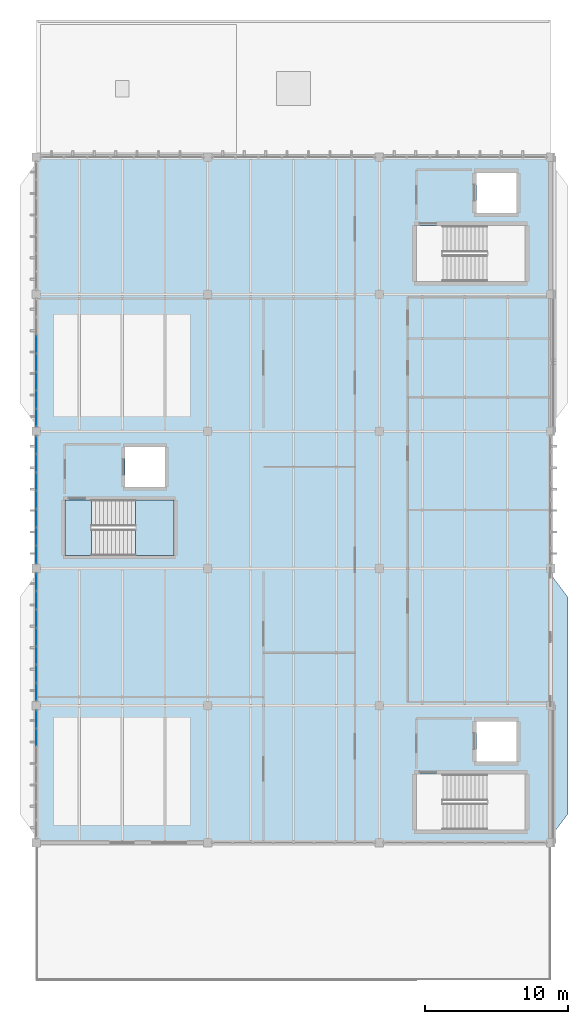
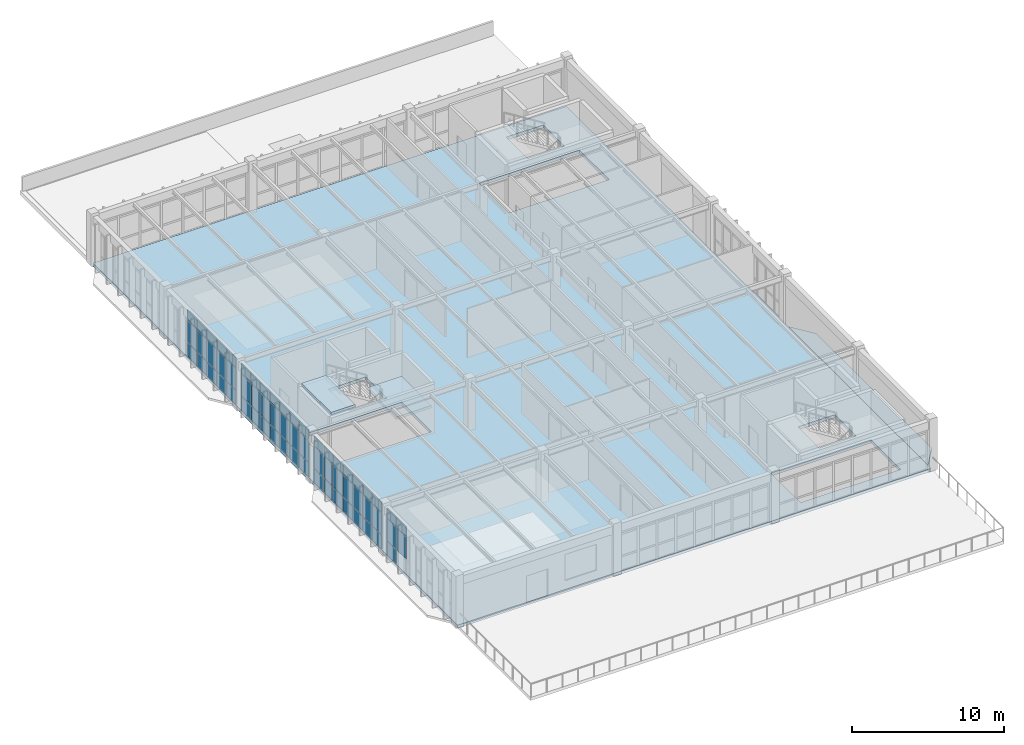
# One storey, part 27 of 37: 62 plates, 4 slabs, 5 elements without a shape of their own.
"""IFC4 building model written with IfcOpenShell, lengths in metres."""

from ifc_helpers import new_model, si_unit, direction, frame, origin, origin_2d, place, context, subcontext, project, spatial, polyline, rectangle, outline, extrude, material, layer, layer_set, type_object, element, aggregate, save


model = new_model("IFC4")

# Units and contexts
model_context = context("Model", 3, precision=1e-05, world=origin(), true_north=direction((0.0, 1.0)))
body_context = subcontext(model_context, "Body", "Model", "MODEL_VIEW")
ifc_project = project(units=[si_unit("LENGTHUNIT", "METRE"), si_unit("AREAUNIT", "SQUARE_METRE"), si_unit("VOLUMEUNIT", "CUBIC_METRE"), si_unit("PLANEANGLEUNIT", "RADIAN"), si_unit("MASSUNIT", "GRAM", prefix="KILO")], contexts=[model_context])

# Site, building, storey
site_placement = place(None, origin())
site = spatial("IfcSite", under=ifc_project, at=site_placement, CompositionType="ELEMENT")
building_placement = place(site_placement, origin())
building = spatial("IfcBuilding", under=site, at=building_placement, Name="Pandanus Reach Market Hall", CompositionType="ELEMENT")
storey_placement = place(building_placement, frame((0.0, 0.0, 14.39990234375)))
storey = spatial("IfcBuildingStorey", under=building, at=storey_placement, Name="L03", CompositionType="ELEMENT", Elevation=14.39990234375)

# Curtain wall, plates
ifc_material_1 = material(Name="Bronze anodised aluminium and low-E glass", Category="aluminium")
ifc_layer_1 = layer(ifc_material_1, 0.159912109375, Name="CW-33")
ifc_layer_set_1 = layer_set([ifc_layer_1], Name="Bronze anodised aluminium and low-E glass")
curtain_wall_type = type_object("IfcCurtainWallType", Name="CW-33", PredefinedType="NOTDEFINED", material=ifc_layer_set_1)
curtain_wall_1_placement = place(storey_placement, origin())
curtain_wall_1 = element("IfcCurtainWall", 1, at=curtain_wall_1_placement, inside=storey, type_object=curtain_wall_type, Name="Glazed curtain wall CW-33 CW-0122", PredefinedType="NOTDEFINED")
ifc_material_2 = material(Name="Solar-control double glazing", Category="glass")
ifc_layer_2 = layer(ifc_material_2, 0.028076171875, Name="CW-P1")
ifc_layer_set_2 = layer_set([ifc_layer_2], Name="Solar-control double glazing")
plate_type = type_object("IfcPlateType", Name="CW-P1", PredefinedType="CURTAIN_PANEL", material=ifc_layer_set_2)
plate_1_placement = place(storey_placement, frame((144.0, 36.17138671875, 1.232421875), z_axis=(0.0, 0.0, 1.0), x_axis=(0.0, 1.0, 0.0)))
plate_1 = element("IfcPlate", 2, at=plate_1_placement, type_object=plate_type, Name="CW-33 panel 6.2", PredefinedType="CURTAIN_PANEL", context=body_context, shape_type="SweptSolid", body=[
    extrude(rectangle(XDim=1.220703125, YDim=0.028076171875, at=origin_2d()), origin(), (0.0, 0.0, 1.0), 1.735107421875),
])
plate_2_placement = place(storey_placement, frame((144.0, 36.17138671875, 3.03271484375), z_axis=(0.0, 0.0, 1.0), x_axis=(0.0, 1.0, 0.0)))
plate_2 = element("IfcPlate", 3, at=plate_2_placement, type_object=plate_type, Name="CW-33 panel 6.3", PredefinedType="CURTAIN_PANEL", context=body_context, shape_type="SweptSolid", body=[
    extrude(rectangle(XDim=1.220703125, YDim=0.028076171875, at=origin_2d()), origin(), (0.0, 0.0, 1.0), 0.802490234375),
])
plate_3_placement = place(storey_placement, frame((144.0, 37.44091796875, 0.065185546875), z_axis=(0.0, 0.0, 1.0), x_axis=(0.0, 1.0, 0.0)))
plate_3 = element("IfcPlate", 4, at=plate_3_placement, type_object=plate_type, Name="CW-33 panel 7.1", PredefinedType="CURTAIN_PANEL", context=body_context, shape_type="SweptSolid", body=[
    extrude(rectangle(XDim=1.188232421875, YDim=0.028076171875, at=origin_2d()), origin(), (0.0, 0.0, 1.0), 1.1025390625),
])
plate_4_placement = place(storey_placement, frame((144.0, 37.44091796875, 1.232421875), z_axis=(0.0, 0.0, 1.0), x_axis=(0.0, 1.0, 0.0)))
plate_4 = element("IfcPlate", 5, at=plate_4_placement, type_object=plate_type, Name="CW-33 panel 7.2", PredefinedType="CURTAIN_PANEL", context=body_context, shape_type="SweptSolid", body=[
    extrude(rectangle(XDim=1.188232421875, YDim=0.028076171875, at=origin_2d()), origin(), (0.0, 0.0, 1.0), 1.735107421875),
])
plate_5_placement = place(storey_placement, frame((144.0, 37.44091796875, 3.03271484375), z_axis=(0.0, 0.0, 1.0), x_axis=(0.0, 1.0, 0.0)))
plate_5 = element("IfcPlate", 6, at=plate_5_placement, type_object=plate_type, Name="CW-33 panel 7.3", PredefinedType="CURTAIN_PANEL", context=body_context, shape_type="SweptSolid", body=[
    extrude(rectangle(XDim=1.188232421875, YDim=0.028076171875, at=origin_2d()), origin(), (0.0, 0.0, 1.0), 0.802490234375),
])
aggregate(curtain_wall_1, [plate_1, plate_2, plate_3, plate_4, plate_5])

curtain_wall_2_placement = place(storey_placement, origin())
curtain_wall_2 = element("IfcCurtainWall", 7, at=curtain_wall_2_placement, inside=storey, type_object=curtain_wall_type, Name="Glazed curtain wall CW-33 CW-0123", PredefinedType="NOTDEFINED")
plate_6_placement = place(storey_placement, frame((144.0, 39.359130859375, 0.065185546875), z_axis=(0.0, 0.0, 1.0), x_axis=(0.0, 1.0, 0.0)))
plate_6 = element("IfcPlate", 8, at=plate_6_placement, type_object=plate_type, Name="CW-33 panel 1.1", PredefinedType="CURTAIN_PANEL", context=body_context, shape_type="SweptSolid", body=[
    extrude(rectangle(XDim=1.188232421875, YDim=0.028076171875, at=origin_2d()), origin(), (0.0, 0.0, 1.0), 1.1025390625),
])
plate_7_placement = place(storey_placement, frame((144.0, 39.359130859375, 1.232421875), z_axis=(0.0, 0.0, 1.0), x_axis=(0.0, 1.0, 0.0)))
plate_7 = element("IfcPlate", 9, at=plate_7_placement, type_object=plate_type, Name="CW-33 panel 1.2", PredefinedType="CURTAIN_PANEL", context=body_context, shape_type="SweptSolid", body=[
    extrude(rectangle(XDim=1.188232421875, YDim=0.028076171875, at=origin_2d()), origin(), (0.0, 0.0, 1.0), 1.735107421875),
])
plate_8_placement = place(storey_placement, frame((144.0, 39.359130859375, 3.03271484375), z_axis=(0.0, 0.0, 1.0), x_axis=(0.0, 1.0, 0.0)))
plate_8 = element("IfcPlate", 10, at=plate_8_placement, type_object=plate_type, Name="CW-33 panel 1.3", PredefinedType="CURTAIN_PANEL", context=body_context, shape_type="SweptSolid", body=[
    extrude(rectangle(XDim=1.188232421875, YDim=0.028076171875, at=origin_2d()), origin(), (0.0, 0.0, 1.0), 0.802490234375),
])
plate_9_placement = place(storey_placement, frame((144.0, 40.628662109375, 0.065185546875), z_axis=(0.0, 0.0, 1.0), x_axis=(0.0, 1.0, 0.0)))
plate_9 = element("IfcPlate", 11, at=plate_9_placement, type_object=plate_type, Name="CW-33 panel 2.1", PredefinedType="CURTAIN_PANEL", context=body_context, shape_type="SweptSolid", body=[
    extrude(rectangle(XDim=1.220703125, YDim=0.028076171875, at=origin_2d()), origin(), (0.0, 0.0, 1.0), 1.1025390625),
])
plate_10_placement = place(storey_placement, frame((144.0, 40.628662109375, 1.232421875), z_axis=(0.0, 0.0, 1.0), x_axis=(0.0, 1.0, 0.0)))
plate_10 = element("IfcPlate", 12, at=plate_10_placement, type_object=plate_type, Name="CW-33 panel 2.2", PredefinedType="CURTAIN_PANEL", context=body_context, shape_type="SweptSolid", body=[
    extrude(rectangle(XDim=1.220703125, YDim=0.028076171875, at=origin_2d()), origin(), (0.0, 0.0, 1.0), 1.735107421875),
])
plate_11_placement = place(storey_placement, frame((144.0, 40.628662109375, 3.03271484375), z_axis=(0.0, 0.0, 1.0), x_axis=(0.0, 1.0, 0.0)))
plate_11 = element("IfcPlate", 13, at=plate_11_placement, type_object=plate_type, Name="CW-33 panel 2.3", PredefinedType="CURTAIN_PANEL", context=body_context, shape_type="SweptSolid", body=[
    extrude(rectangle(XDim=1.220703125, YDim=0.028076171875, at=origin_2d()), origin(), (0.0, 0.0, 1.0), 0.802490234375),
])
plate_12_placement = place(storey_placement, frame((144.0, 41.914306640625, 0.065185546875), z_axis=(0.0, 0.0, 1.0), x_axis=(0.0, 1.0, 0.0)))
plate_12 = element("IfcPlate", 14, at=plate_12_placement, type_object=plate_type, Name="CW-33 panel 3.1", PredefinedType="CURTAIN_PANEL", context=body_context, shape_type="SweptSolid", body=[
    extrude(rectangle(XDim=1.220703125, YDim=0.028076171875, at=origin_2d()), origin(), (0.0, 0.0, 1.0), 1.1025390625),
])
plate_13_placement = place(storey_placement, frame((144.0, 41.914306640625, 1.232421875), z_axis=(0.0, 0.0, 1.0), x_axis=(0.0, 1.0, 0.0)))
plate_13 = element("IfcPlate", 15, at=plate_13_placement, type_object=plate_type, Name="CW-33 panel 3.2", PredefinedType="CURTAIN_PANEL", context=body_context, shape_type="SweptSolid", body=[
    extrude(rectangle(XDim=1.220703125, YDim=0.028076171875, at=origin_2d()), origin(), (0.0, 0.0, 1.0), 1.735107421875),
])
plate_14_placement = place(storey_placement, frame((144.0, 41.914306640625, 3.03271484375), z_axis=(0.0, 0.0, 1.0), x_axis=(0.0, 1.0, 0.0)))
plate_14 = element("IfcPlate", 16, at=plate_14_placement, type_object=plate_type, Name="CW-33 panel 3.3", PredefinedType="CURTAIN_PANEL", context=body_context, shape_type="SweptSolid", body=[
    extrude(rectangle(XDim=1.220703125, YDim=0.028076171875, at=origin_2d()), origin(), (0.0, 0.0, 1.0), 0.802490234375),
])
plate_15_placement = place(storey_placement, frame((144.0, 43.199951171875, 0.065185546875), z_axis=(0.0, 0.0, 1.0), x_axis=(0.0, 1.0, 0.0)))
plate_15 = element("IfcPlate", 17, at=plate_15_placement, type_object=plate_type, Name="CW-33 panel 4.1", PredefinedType="CURTAIN_PANEL", context=body_context, shape_type="SweptSolid", body=[
    extrude(rectangle(XDim=1.220703125, YDim=0.028076171875, at=origin_2d()), origin(), (0.0, 0.0, 1.0), 1.1025390625),
])
plate_16_placement = place(storey_placement, frame((144.0, 43.199951171875, 1.232421875), z_axis=(0.0, 0.0, 1.0), x_axis=(0.0, 1.0, 0.0)))
plate_16 = element("IfcPlate", 18, at=plate_16_placement, type_object=plate_type, Name="CW-33 panel 4.2", PredefinedType="CURTAIN_PANEL", context=body_context, shape_type="SweptSolid", body=[
    extrude(rectangle(XDim=1.220703125, YDim=0.028076171875, at=origin_2d()), origin(), (0.0, 0.0, 1.0), 1.735107421875),
])
plate_17_placement = place(storey_placement, frame((144.0, 43.199951171875, 3.03271484375), z_axis=(0.0, 0.0, 1.0), x_axis=(0.0, 1.0, 0.0)))
plate_17 = element("IfcPlate", 19, at=plate_17_placement, type_object=plate_type, Name="CW-33 panel 4.3", PredefinedType="CURTAIN_PANEL", context=body_context, shape_type="SweptSolid", body=[
    extrude(rectangle(XDim=1.220703125, YDim=0.028076171875, at=origin_2d()), origin(), (0.0, 0.0, 1.0), 0.802490234375),
])
plate_18_placement = place(storey_placement, frame((144.0, 44.485595703125, 0.065185546875), z_axis=(0.0, 0.0, 1.0), x_axis=(0.0, 1.0, 0.0)))
plate_18 = element("IfcPlate", 20, at=plate_18_placement, type_object=plate_type, Name="CW-33 panel 5.1", PredefinedType="CURTAIN_PANEL", context=body_context, shape_type="SweptSolid", body=[
    extrude(rectangle(XDim=1.220703125, YDim=0.028076171875, at=origin_2d()), origin(), (0.0, 0.0, 1.0), 1.1025390625),
])
plate_19_placement = place(storey_placement, frame((144.0, 44.485595703125, 1.232421875), z_axis=(0.0, 0.0, 1.0), x_axis=(0.0, 1.0, 0.0)))
plate_19 = element("IfcPlate", 21, at=plate_19_placement, type_object=plate_type, Name="CW-33 panel 5.2", PredefinedType="CURTAIN_PANEL", context=body_context, shape_type="SweptSolid", body=[
    extrude(rectangle(XDim=1.220703125, YDim=0.028076171875, at=origin_2d()), origin(), (0.0, 0.0, 1.0), 1.735107421875),
])
plate_20_placement = place(storey_placement, frame((144.0, 44.485595703125, 3.03271484375), z_axis=(0.0, 0.0, 1.0), x_axis=(0.0, 1.0, 0.0)))
plate_20 = element("IfcPlate", 22, at=plate_20_placement, type_object=plate_type, Name="CW-33 panel 5.3", PredefinedType="CURTAIN_PANEL", context=body_context, shape_type="SweptSolid", body=[
    extrude(rectangle(XDim=1.220703125, YDim=0.028076171875, at=origin_2d()), origin(), (0.0, 0.0, 1.0), 0.802490234375),
])
plate_21_placement = place(storey_placement, frame((144.0, 45.771484375, 0.065185546875), z_axis=(0.0, 0.0, 1.0), x_axis=(0.0, 1.0, 0.0)))
plate_21 = element("IfcPlate", 23, at=plate_21_placement, type_object=plate_type, Name="CW-33 panel 6.1", PredefinedType="CURTAIN_PANEL", context=body_context, shape_type="SweptSolid", body=[
    extrude(rectangle(XDim=1.220703125, YDim=0.028076171875, at=origin_2d()), origin(), (0.0, 0.0, 1.0), 1.1025390625),
])
plate_22_placement = place(storey_placement, frame((144.0, 45.771484375, 1.232421875), z_axis=(0.0, 0.0, 1.0), x_axis=(0.0, 1.0, 0.0)))
plate_22 = element("IfcPlate", 24, at=plate_22_placement, type_object=plate_type, Name="CW-33 panel 6.2", PredefinedType="CURTAIN_PANEL", context=body_context, shape_type="SweptSolid", body=[
    extrude(rectangle(XDim=1.220703125, YDim=0.028076171875, at=origin_2d()), origin(), (0.0, 0.0, 1.0), 1.735107421875),
])
plate_23_placement = place(storey_placement, frame((144.0, 45.771484375, 3.03271484375), z_axis=(0.0, 0.0, 1.0), x_axis=(0.0, 1.0, 0.0)))
plate_23 = element("IfcPlate", 25, at=plate_23_placement, type_object=plate_type, Name="CW-33 panel 6.3", PredefinedType="CURTAIN_PANEL", context=body_context, shape_type="SweptSolid", body=[
    extrude(rectangle(XDim=1.220703125, YDim=0.028076171875, at=origin_2d()), origin(), (0.0, 0.0, 1.0), 0.802490234375),
])
plate_24_placement = place(storey_placement, frame((144.0, 47.040771484375, 0.065185546875), z_axis=(0.0, 0.0, 1.0), x_axis=(0.0, 1.0, 0.0)))
plate_24 = element("IfcPlate", 26, at=plate_24_placement, type_object=plate_type, Name="CW-33 panel 7.1", PredefinedType="CURTAIN_PANEL", context=body_context, shape_type="SweptSolid", body=[
    extrude(rectangle(XDim=1.188232421875, YDim=0.028076171875, at=origin_2d()), origin(), (0.0, 0.0, 1.0), 1.1025390625),
])
plate_25_placement = place(storey_placement, frame((144.0, 47.040771484375, 1.232421875), z_axis=(0.0, 0.0, 1.0), x_axis=(0.0, 1.0, 0.0)))
plate_25 = element("IfcPlate", 27, at=plate_25_placement, type_object=plate_type, Name="CW-33 panel 7.2", PredefinedType="CURTAIN_PANEL", context=body_context, shape_type="SweptSolid", body=[
    extrude(rectangle(XDim=1.188232421875, YDim=0.028076171875, at=origin_2d()), origin(), (0.0, 0.0, 1.0), 1.735107421875),
])
plate_26_placement = place(storey_placement, frame((144.0, 47.040771484375, 3.03271484375), z_axis=(0.0, 0.0, 1.0), x_axis=(0.0, 1.0, 0.0)))
plate_26 = element("IfcPlate", 28, at=plate_26_placement, type_object=plate_type, Name="CW-33 panel 7.3", PredefinedType="CURTAIN_PANEL", context=body_context, shape_type="SweptSolid", body=[
    extrude(rectangle(XDim=1.188232421875, YDim=0.028076171875, at=origin_2d()), origin(), (0.0, 0.0, 1.0), 0.802490234375),
])
aggregate(curtain_wall_2, [plate_6, plate_7, plate_8, plate_9, plate_10, plate_11, plate_12, plate_13, plate_14, plate_15, plate_16, plate_17, plate_18, plate_19, plate_20, plate_21, plate_22, plate_23, plate_24, plate_25, plate_26])

curtain_wall_3_placement = place(storey_placement, origin())
curtain_wall_3 = element("IfcCurtainWall", 29, at=curtain_wall_3_placement, inside=storey, type_object=curtain_wall_type, Name="Glazed curtain wall CW-33 CW-0124", PredefinedType="NOTDEFINED")
plate_27_placement = place(storey_placement, frame((144.0, 48.959228515625, 0.065185546875), z_axis=(0.0, 0.0, 1.0), x_axis=(0.0, 1.0, 0.0)))
plate_27 = element("IfcPlate", 30, at=plate_27_placement, type_object=plate_type, Name="CW-33 panel 1.1", PredefinedType="CURTAIN_PANEL", context=body_context, shape_type="SweptSolid", body=[
    extrude(rectangle(XDim=1.188232421875, YDim=0.028076171875, at=origin_2d()), origin(), (0.0, 0.0, 1.0), 1.1025390625),
])
plate_28_placement = place(storey_placement, frame((144.0, 48.959228515625, 1.232421875), z_axis=(0.0, 0.0, 1.0), x_axis=(0.0, 1.0, 0.0)))
plate_28 = element("IfcPlate", 31, at=plate_28_placement, type_object=plate_type, Name="CW-33 panel 1.2", PredefinedType="CURTAIN_PANEL", context=body_context, shape_type="SweptSolid", body=[
    extrude(rectangle(XDim=1.188232421875, YDim=0.028076171875, at=origin_2d()), origin(), (0.0, 0.0, 1.0), 1.735107421875),
])
plate_29_placement = place(storey_placement, frame((144.0, 48.959228515625, 3.03271484375), z_axis=(0.0, 0.0, 1.0), x_axis=(0.0, 1.0, 0.0)))
plate_29 = element("IfcPlate", 32, at=plate_29_placement, type_object=plate_type, Name="CW-33 panel 1.3", PredefinedType="CURTAIN_PANEL", context=body_context, shape_type="SweptSolid", body=[
    extrude(rectangle(XDim=1.188232421875, YDim=0.028076171875, at=origin_2d()), origin(), (0.0, 0.0, 1.0), 0.802490234375),
])
plate_30_placement = place(storey_placement, frame((144.0, 50.228515625, 0.065185546875), z_axis=(0.0, 0.0, 1.0), x_axis=(0.0, 1.0, 0.0)))
plate_30 = element("IfcPlate", 33, at=plate_30_placement, type_object=plate_type, Name="CW-33 panel 2.1", PredefinedType="CURTAIN_PANEL", context=body_context, shape_type="SweptSolid", body=[
    extrude(rectangle(XDim=1.220703125, YDim=0.028076171875, at=origin_2d()), origin(), (0.0, 0.0, 1.0), 1.1025390625),
])
plate_31_placement = place(storey_placement, frame((144.0, 50.228515625, 1.232421875), z_axis=(0.0, 0.0, 1.0), x_axis=(0.0, 1.0, 0.0)))
plate_31 = element("IfcPlate", 34, at=plate_31_placement, type_object=plate_type, Name="CW-33 panel 2.2", PredefinedType="CURTAIN_PANEL", context=body_context, shape_type="SweptSolid", body=[
    extrude(rectangle(XDim=1.220703125, YDim=0.028076171875, at=origin_2d()), origin(), (0.0, 0.0, 1.0), 1.735107421875),
])
plate_32_placement = place(storey_placement, frame((144.0, 50.228515625, 3.03271484375), z_axis=(0.0, 0.0, 1.0), x_axis=(0.0, 1.0, 0.0)))
plate_32 = element("IfcPlate", 35, at=plate_32_placement, type_object=plate_type, Name="CW-33 panel 2.3", PredefinedType="CURTAIN_PANEL", context=body_context, shape_type="SweptSolid", body=[
    extrude(rectangle(XDim=1.220703125, YDim=0.028076171875, at=origin_2d()), origin(), (0.0, 0.0, 1.0), 0.802490234375),
])
plate_33_placement = place(storey_placement, frame((144.0, 51.514404296875, 0.065185546875), z_axis=(0.0, 0.0, 1.0), x_axis=(0.0, 1.0, 0.0)))
plate_33 = element("IfcPlate", 36, at=plate_33_placement, type_object=plate_type, Name="CW-33 panel 3.1", PredefinedType="CURTAIN_PANEL", context=body_context, shape_type="SweptSolid", body=[
    extrude(rectangle(XDim=1.220703125, YDim=0.028076171875, at=origin_2d()), origin(), (0.0, 0.0, 1.0), 1.1025390625),
])
plate_34_placement = place(storey_placement, frame((144.0, 51.514404296875, 1.232421875), z_axis=(0.0, 0.0, 1.0), x_axis=(0.0, 1.0, 0.0)))
plate_34 = element("IfcPlate", 37, at=plate_34_placement, type_object=plate_type, Name="CW-33 panel 3.2", PredefinedType="CURTAIN_PANEL", context=body_context, shape_type="SweptSolid", body=[
    extrude(rectangle(XDim=1.220703125, YDim=0.028076171875, at=origin_2d()), origin(), (0.0, 0.0, 1.0), 1.735107421875),
])
plate_35_placement = place(storey_placement, frame((144.0, 51.514404296875, 3.03271484375), z_axis=(0.0, 0.0, 1.0), x_axis=(0.0, 1.0, 0.0)))
plate_35 = element("IfcPlate", 38, at=plate_35_placement, type_object=plate_type, Name="CW-33 panel 3.3", PredefinedType="CURTAIN_PANEL", context=body_context, shape_type="SweptSolid", body=[
    extrude(rectangle(XDim=1.220703125, YDim=0.028076171875, at=origin_2d()), origin(), (0.0, 0.0, 1.0), 0.802490234375),
])
plate_36_placement = place(storey_placement, frame((144.0, 52.800048828125, 0.065185546875), z_axis=(0.0, 0.0, 1.0), x_axis=(0.0, 1.0, 0.0)))
plate_36 = element("IfcPlate", 39, at=plate_36_placement, type_object=plate_type, Name="CW-33 panel 4.1", PredefinedType="CURTAIN_PANEL", context=body_context, shape_type="SweptSolid", body=[
    extrude(rectangle(XDim=1.220703125, YDim=0.028076171875, at=origin_2d()), origin(), (0.0, 0.0, 1.0), 1.1025390625),
])
plate_37_placement = place(storey_placement, frame((144.0, 52.800048828125, 1.232421875), z_axis=(0.0, 0.0, 1.0), x_axis=(0.0, 1.0, 0.0)))
plate_37 = element("IfcPlate", 40, at=plate_37_placement, type_object=plate_type, Name="CW-33 panel 4.2", PredefinedType="CURTAIN_PANEL", context=body_context, shape_type="SweptSolid", body=[
    extrude(rectangle(XDim=1.220703125, YDim=0.028076171875, at=origin_2d()), origin(), (0.0, 0.0, 1.0), 1.735107421875),
])
plate_38_placement = place(storey_placement, frame((144.0, 52.800048828125, 3.03271484375), z_axis=(0.0, 0.0, 1.0), x_axis=(0.0, 1.0, 0.0)))
plate_38 = element("IfcPlate", 41, at=plate_38_placement, type_object=plate_type, Name="CW-33 panel 4.3", PredefinedType="CURTAIN_PANEL", context=body_context, shape_type="SweptSolid", body=[
    extrude(rectangle(XDim=1.220703125, YDim=0.028076171875, at=origin_2d()), origin(), (0.0, 0.0, 1.0), 0.802490234375),
])
plate_39_placement = place(storey_placement, frame((144.0, 54.085693359375, 0.065185546875), z_axis=(0.0, 0.0, 1.0), x_axis=(0.0, 1.0, 0.0)))
plate_39 = element("IfcPlate", 42, at=plate_39_placement, type_object=plate_type, Name="CW-33 panel 5.1", PredefinedType="CURTAIN_PANEL", context=body_context, shape_type="SweptSolid", body=[
    extrude(rectangle(XDim=1.220703125, YDim=0.028076171875, at=origin_2d()), origin(), (0.0, 0.0, 1.0), 1.1025390625),
])
plate_40_placement = place(storey_placement, frame((144.0, 54.085693359375, 1.232421875), z_axis=(0.0, 0.0, 1.0), x_axis=(0.0, 1.0, 0.0)))
plate_40 = element("IfcPlate", 43, at=plate_40_placement, type_object=plate_type, Name="CW-33 panel 5.2", PredefinedType="CURTAIN_PANEL", context=body_context, shape_type="SweptSolid", body=[
    extrude(rectangle(XDim=1.220703125, YDim=0.028076171875, at=origin_2d()), origin(), (0.0, 0.0, 1.0), 1.735107421875),
])
plate_41_placement = place(storey_placement, frame((144.0, 54.085693359375, 3.03271484375), z_axis=(0.0, 0.0, 1.0), x_axis=(0.0, 1.0, 0.0)))
plate_41 = element("IfcPlate", 44, at=plate_41_placement, type_object=plate_type, Name="CW-33 panel 5.3", PredefinedType="CURTAIN_PANEL", context=body_context, shape_type="SweptSolid", body=[
    extrude(rectangle(XDim=1.220703125, YDim=0.028076171875, at=origin_2d()), origin(), (0.0, 0.0, 1.0), 0.802490234375),
])
plate_42_placement = place(storey_placement, frame((144.0, 55.371337890625, 0.065185546875), z_axis=(0.0, 0.0, 1.0), x_axis=(0.0, 1.0, 0.0)))
plate_42 = element("IfcPlate", 45, at=plate_42_placement, type_object=plate_type, Name="CW-33 panel 6.1", PredefinedType="CURTAIN_PANEL", context=body_context, shape_type="SweptSolid", body=[
    extrude(rectangle(XDim=1.220703125, YDim=0.028076171875, at=origin_2d()), origin(), (0.0, 0.0, 1.0), 1.1025390625),
])
plate_43_placement = place(storey_placement, frame((144.0, 55.371337890625, 1.232421875), z_axis=(0.0, 0.0, 1.0), x_axis=(0.0, 1.0, 0.0)))
plate_43 = element("IfcPlate", 46, at=plate_43_placement, type_object=plate_type, Name="CW-33 panel 6.2", PredefinedType="CURTAIN_PANEL", context=body_context, shape_type="SweptSolid", body=[
    extrude(rectangle(XDim=1.220703125, YDim=0.028076171875, at=origin_2d()), origin(), (0.0, 0.0, 1.0), 1.735107421875),
])
plate_44_placement = place(storey_placement, frame((144.0, 55.371337890625, 3.03271484375), z_axis=(0.0, 0.0, 1.0), x_axis=(0.0, 1.0, 0.0)))
plate_44 = element("IfcPlate", 47, at=plate_44_placement, type_object=plate_type, Name="CW-33 panel 6.3", PredefinedType="CURTAIN_PANEL", context=body_context, shape_type="SweptSolid", body=[
    extrude(rectangle(XDim=1.220703125, YDim=0.028076171875, at=origin_2d()), origin(), (0.0, 0.0, 1.0), 0.802490234375),
])
plate_45_placement = place(storey_placement, frame((144.0, 56.640869140625, 0.065185546875), z_axis=(0.0, 0.0, 1.0), x_axis=(0.0, 1.0, 0.0)))
plate_45 = element("IfcPlate", 48, at=plate_45_placement, type_object=plate_type, Name="CW-33 panel 7.1", PredefinedType="CURTAIN_PANEL", context=body_context, shape_type="SweptSolid", body=[
    extrude(rectangle(XDim=1.188232421875, YDim=0.028076171875, at=origin_2d()), origin(), (0.0, 0.0, 1.0), 1.1025390625),
])
plate_46_placement = place(storey_placement, frame((144.0, 56.640869140625, 1.232421875), z_axis=(0.0, 0.0, 1.0), x_axis=(0.0, 1.0, 0.0)))
plate_46 = element("IfcPlate", 49, at=plate_46_placement, type_object=plate_type, Name="CW-33 panel 7.2", PredefinedType="CURTAIN_PANEL", context=body_context, shape_type="SweptSolid", body=[
    extrude(rectangle(XDim=1.188232421875, YDim=0.028076171875, at=origin_2d()), origin(), (0.0, 0.0, 1.0), 1.735107421875),
])
plate_47_placement = place(storey_placement, frame((144.0, 56.640869140625, 3.03271484375), z_axis=(0.0, 0.0, 1.0), x_axis=(0.0, 1.0, 0.0)))
plate_47 = element("IfcPlate", 50, at=plate_47_placement, type_object=plate_type, Name="CW-33 panel 7.3", PredefinedType="CURTAIN_PANEL", context=body_context, shape_type="SweptSolid", body=[
    extrude(rectangle(XDim=1.188232421875, YDim=0.028076171875, at=origin_2d()), origin(), (0.0, 0.0, 1.0), 0.802490234375),
])
aggregate(curtain_wall_3, [plate_27, plate_28, plate_29, plate_30, plate_31, plate_32, plate_33, plate_34, plate_35, plate_36, plate_37, plate_38, plate_39, plate_40, plate_41, plate_42, plate_43, plate_44, plate_45, plate_46, plate_47])

curtain_wall_4_placement = place(storey_placement, origin())
curtain_wall_4 = element("IfcCurtainWall", 51, at=curtain_wall_4_placement, inside=storey, type_object=curtain_wall_type, Name="Glazed curtain wall CW-33 CW-0125", PredefinedType="NOTDEFINED")
plate_48_placement = place(storey_placement, frame((144.0, 58.55908203125, 0.065185546875), z_axis=(0.0, 0.0, 1.0), x_axis=(0.0, 1.0, 0.0)))
plate_48 = element("IfcPlate", 52, at=plate_48_placement, type_object=plate_type, Name="CW-33 panel 1.1", PredefinedType="CURTAIN_PANEL", context=body_context, shape_type="SweptSolid", body=[
    extrude(rectangle(XDim=1.188232421875, YDim=0.028076171875, at=origin_2d()), origin(), (0.0, 0.0, 1.0), 1.1025390625),
])
plate_49_placement = place(storey_placement, frame((144.0, 58.55908203125, 1.232421875), z_axis=(0.0, 0.0, 1.0), x_axis=(0.0, 1.0, 0.0)))
plate_49 = element("IfcPlate", 53, at=plate_49_placement, type_object=plate_type, Name="CW-33 panel 1.2", PredefinedType="CURTAIN_PANEL", context=body_context, shape_type="SweptSolid", body=[
    extrude(rectangle(XDim=1.188232421875, YDim=0.028076171875, at=origin_2d()), origin(), (0.0, 0.0, 1.0), 1.735107421875),
])
plate_50_placement = place(storey_placement, frame((144.0, 58.55908203125, 3.03271484375), z_axis=(0.0, 0.0, 1.0), x_axis=(0.0, 1.0, 0.0)))
plate_50 = element("IfcPlate", 54, at=plate_50_placement, type_object=plate_type, Name="CW-33 panel 1.3", PredefinedType="CURTAIN_PANEL", context=body_context, shape_type="SweptSolid", body=[
    extrude(rectangle(XDim=1.188232421875, YDim=0.028076171875, at=origin_2d()), origin(), (0.0, 0.0, 1.0), 0.802490234375),
])
plate_51_placement = place(storey_placement, frame((144.0, 59.82861328125, 0.065185546875), z_axis=(0.0, 0.0, 1.0), x_axis=(0.0, 1.0, 0.0)))
plate_51 = element("IfcPlate", 55, at=plate_51_placement, type_object=plate_type, Name="CW-33 panel 2.1", PredefinedType="CURTAIN_PANEL", context=body_context, shape_type="SweptSolid", body=[
    extrude(rectangle(XDim=1.220703125, YDim=0.028076171875, at=origin_2d()), origin(), (0.0, 0.0, 1.0), 1.1025390625),
])
plate_52_placement = place(storey_placement, frame((144.0, 59.82861328125, 1.232421875), z_axis=(0.0, 0.0, 1.0), x_axis=(0.0, 1.0, 0.0)))
plate_52 = element("IfcPlate", 56, at=plate_52_placement, type_object=plate_type, Name="CW-33 panel 2.2", PredefinedType="CURTAIN_PANEL", context=body_context, shape_type="SweptSolid", body=[
    extrude(rectangle(XDim=1.220703125, YDim=0.028076171875, at=origin_2d()), origin(), (0.0, 0.0, 1.0), 1.735107421875),
])
plate_53_placement = place(storey_placement, frame((144.0, 59.82861328125, 3.03271484375), z_axis=(0.0, 0.0, 1.0), x_axis=(0.0, 1.0, 0.0)))
plate_53 = element("IfcPlate", 57, at=plate_53_placement, type_object=plate_type, Name="CW-33 panel 2.3", PredefinedType="CURTAIN_PANEL", context=body_context, shape_type="SweptSolid", body=[
    extrude(rectangle(XDim=1.220703125, YDim=0.028076171875, at=origin_2d()), origin(), (0.0, 0.0, 1.0), 0.802490234375),
])
plate_54_placement = place(storey_placement, frame((144.0, 61.1142578125, 0.065185546875), z_axis=(0.0, 0.0, 1.0), x_axis=(0.0, 1.0, 0.0)))
plate_54 = element("IfcPlate", 58, at=plate_54_placement, type_object=plate_type, Name="CW-33 panel 3.1", PredefinedType="CURTAIN_PANEL", context=body_context, shape_type="SweptSolid", body=[
    extrude(rectangle(XDim=1.220703125, YDim=0.028076171875, at=origin_2d()), origin(), (0.0, 0.0, 1.0), 1.1025390625),
])
plate_55_placement = place(storey_placement, frame((144.0, 61.1142578125, 1.232421875), z_axis=(0.0, 0.0, 1.0), x_axis=(0.0, 1.0, 0.0)))
plate_55 = element("IfcPlate", 59, at=plate_55_placement, type_object=plate_type, Name="CW-33 panel 3.2", PredefinedType="CURTAIN_PANEL", context=body_context, shape_type="SweptSolid", body=[
    extrude(rectangle(XDim=1.220703125, YDim=0.028076171875, at=origin_2d()), origin(), (0.0, 0.0, 1.0), 1.735107421875),
])
plate_56_placement = place(storey_placement, frame((144.0, 61.1142578125, 3.03271484375), z_axis=(0.0, 0.0, 1.0), x_axis=(0.0, 1.0, 0.0)))
plate_56 = element("IfcPlate", 60, at=plate_56_placement, type_object=plate_type, Name="CW-33 panel 3.3", PredefinedType="CURTAIN_PANEL", context=body_context, shape_type="SweptSolid", body=[
    extrude(rectangle(XDim=1.220703125, YDim=0.028076171875, at=origin_2d()), origin(), (0.0, 0.0, 1.0), 0.802490234375),
])
plate_57_placement = place(storey_placement, frame((144.0, 62.39990234375, 0.065185546875), z_axis=(0.0, 0.0, 1.0), x_axis=(0.0, 1.0, 0.0)))
plate_57 = element("IfcPlate", 61, at=plate_57_placement, type_object=plate_type, Name="CW-33 panel 4.1", PredefinedType="CURTAIN_PANEL", context=body_context, shape_type="SweptSolid", body=[
    extrude(rectangle(XDim=1.220703125, YDim=0.028076171875, at=origin_2d()), origin(), (0.0, 0.0, 1.0), 1.1025390625),
])
plate_58_placement = place(storey_placement, frame((144.0, 62.39990234375, 1.232421875), z_axis=(0.0, 0.0, 1.0), x_axis=(0.0, 1.0, 0.0)))
plate_58 = element("IfcPlate", 62, at=plate_58_placement, type_object=plate_type, Name="CW-33 panel 4.2", PredefinedType="CURTAIN_PANEL", context=body_context, shape_type="SweptSolid", body=[
    extrude(rectangle(XDim=1.220703125, YDim=0.028076171875, at=origin_2d()), origin(), (0.0, 0.0, 1.0), 1.735107421875),
])
plate_59_placement = place(storey_placement, frame((144.0, 62.39990234375, 3.03271484375), z_axis=(0.0, 0.0, 1.0), x_axis=(0.0, 1.0, 0.0)))
plate_59 = element("IfcPlate", 63, at=plate_59_placement, type_object=plate_type, Name="CW-33 panel 4.3", PredefinedType="CURTAIN_PANEL", context=body_context, shape_type="SweptSolid", body=[
    extrude(rectangle(XDim=1.220703125, YDim=0.028076171875, at=origin_2d()), origin(), (0.0, 0.0, 1.0), 0.802490234375),
])
plate_60_placement = place(storey_placement, frame((144.0, 63.685791015625, 0.065185546875), z_axis=(0.0, 0.0, 1.0), x_axis=(0.0, 1.0, 0.0)))
plate_60 = element("IfcPlate", 64, at=plate_60_placement, type_object=plate_type, Name="CW-33 panel 5.1", PredefinedType="CURTAIN_PANEL", context=body_context, shape_type="SweptSolid", body=[
    extrude(rectangle(XDim=1.220703125, YDim=0.028076171875, at=origin_2d()), origin(), (0.0, 0.0, 1.0), 1.1025390625),
])
plate_61_placement = place(storey_placement, frame((144.0, 63.685791015625, 1.232421875), z_axis=(0.0, 0.0, 1.0), x_axis=(0.0, 1.0, 0.0)))
plate_61 = element("IfcPlate", 65, at=plate_61_placement, type_object=plate_type, Name="CW-33 panel 5.2", PredefinedType="CURTAIN_PANEL", context=body_context, shape_type="SweptSolid", body=[
    extrude(rectangle(XDim=1.220703125, YDim=0.028076171875, at=origin_2d()), origin(), (0.0, 0.0, 1.0), 1.735107421875),
])
plate_62_placement = place(storey_placement, frame((144.0, 63.685791015625, 3.03271484375), z_axis=(0.0, 0.0, 1.0), x_axis=(0.0, 1.0, 0.0)))
plate_62 = element("IfcPlate", 66, at=plate_62_placement, type_object=plate_type, Name="CW-33 panel 5.3", PredefinedType="CURTAIN_PANEL", context=body_context, shape_type="SweptSolid", body=[
    extrude(rectangle(XDim=1.220703125, YDim=0.028076171875, at=origin_2d()), origin(), (0.0, 0.0, 1.0), 0.802490234375),
])
aggregate(curtain_wall_4, [plate_48, plate_49, plate_50, plate_51, plate_52, plate_53, plate_54, plate_55, plate_56, plate_57, plate_58, plate_59, plate_60, plate_61, plate_62])

# Slabs
ifc_material_3 = material(Name="Concrete N50 (50 MPa)", Category="concrete")
ifc_layer_3 = layer(ifc_material_3, 0.179931640625, Name="RF-CNP-180")
ifc_layer_set_3 = layer_set([ifc_layer_3], Name="Concrete N50 (50 MPa)")
slab_type_1 = type_object("IfcSlabType", Name="RF-CNP-180", PredefinedType="ROOF", material=ifc_layer_set_3)
slab_1_placement = place(storey_placement, frame((0.0, 0.0, -0.179931640625)))
element("IfcSlab", 67, at=slab_1_placement, inside=storey, type_object=slab_type_1, Name="Sculpted concrete brise-soleil hood 14", PredefinedType="ROOF", context=body_context, shape_type="SweptSolid", body=[
    extrude(outline(polyline([(180.0, 29.199951171875), (180.0, 47.60009765625), (181.199951171875, 46.0), (181.199951171875, 30.800048828125), (180.0, 29.199951171875)])), origin(), (0.0, 0.0, 1.0), 0.179931640625),
])
ifc_material_4 = material(Name="Concrete N40 (40 MPa)", Category="concrete")
ifc_layer_4 = layer(ifc_material_4, 0.25, Name="SL-L03-CS")
ifc_layer_set_4 = layer_set([ifc_layer_4], Name="Concrete N40 (40 MPa)")
slab_type_2 = type_object("IfcSlabType", Name="SL-L03-CS", PredefinedType="FLOOR", material=ifc_layer_set_4)
slab_2_placement = place(storey_placement, frame((0.0, 0.0, -0.25)))
element("IfcSlab", 68, at=slab_2_placement, inside=storey, type_object=slab_type_2, Name="Floor slab SL-L03-V4", PredefinedType="FLOOR", context=body_context, shape_type="SweptSolid", body=[
    extrude(outline(polyline([(144.0, 28.800048828125), (180.0, 28.800048828125), (180.0, 76.800048828125), (144.0, 76.800048828125), (144.0, 28.800048828125)]), holes=[polyline([(170.60009765625, 29.699951171875), (178.219970703125, 29.699951171875), (178.219970703125, 33.60009765625), (170.60009765625, 33.60009765625), (170.60009765625, 29.699951171875)]), polyline([(174.800048828125, 34.5), (177.60009765625, 34.5), (177.60009765625, 37.300048828125), (174.800048828125, 37.300048828125), (174.800048828125, 34.5)]), polyline([(170.60009765625, 68.10009765625), (178.219970703125, 68.10009765625), (178.219970703125, 72.0), (170.60009765625, 72.0), (170.60009765625, 68.10009765625)]), polyline([(174.800048828125, 72.89990234375), (177.60009765625, 72.89990234375), (177.60009765625, 75.699951171875), (174.800048828125, 75.699951171875), (174.800048828125, 72.89990234375)]), polyline([(146.0, 48.89990234375), (153.6201171875, 48.89990234375), (153.6201171875, 52.800048828125), (146.0, 52.800048828125), (146.0, 48.89990234375)]), polyline([(150.199951171875, 53.699951171875), (153.0, 53.699951171875), (153.0, 56.5), (150.199951171875, 56.5), (150.199951171875, 53.699951171875)])]), origin(), (0.0, 0.0, 1.0), 0.25),
])

# Stair, slabs
stair_type = type_object("IfcStairType", Name="STR-04", PredefinedType="HALF_TURN_STAIR", material=ifc_material_4)
stair_placement = place(storey_placement, origin())
stair = element("IfcStair", 69, at=stair_placement, inside=storey, type_object=stair_type, Name="Stair ST-03 L03", PredefinedType="HALF_TURN_STAIR")
ifc_layer_5 = layer(ifc_material_4, 0.199951171875, Name="SL-LND-200")
ifc_layer_set_5 = layer_set([ifc_layer_5], Name="Concrete N40 (40 MPa)")
slab_type_3 = type_object("IfcSlabType", Name="SL-LND-200", PredefinedType="LANDING", material=ifc_layer_set_5)
slab_3_placement = place(storey_placement, frame((0.0, 0.0, 1.900146484375)))
slab_3 = element("IfcSlab", 70, at=slab_3_placement, type_object=slab_type_3, Name="STR-04 landing 1", PredefinedType="LANDING", context=body_context, shape_type="SweptSolid", body=[
    extrude(outline(polyline([(150.929931640625, 48.89990234375), (153.6201171875, 48.89990234375), (153.6201171875, 52.800048828125), (150.929931640625, 52.800048828125), (150.929931640625, 48.89990234375)])), origin(), (0.0, 0.0, 1.0), 0.199951171875),
])
slab_4_placement = place(storey_placement, frame((0.0, 0.0, 4.0)))
slab_4 = element("IfcSlab", 71, at=slab_4_placement, type_object=slab_type_3, Name="STR-04 landing 2", PredefinedType="LANDING", context=body_context, shape_type="SweptSolid", body=[
    extrude(outline(polyline([(146.0, 48.89990234375), (147.85009765625, 48.89990234375), (147.85009765625, 52.800048828125), (146.0, 52.800048828125), (146.0, 48.89990234375)])), origin(), (0.0, 0.0, 1.0), 0.2001953125),
])
aggregate(stair, [slab_3, slab_4])

save(model, "model.ifc")
